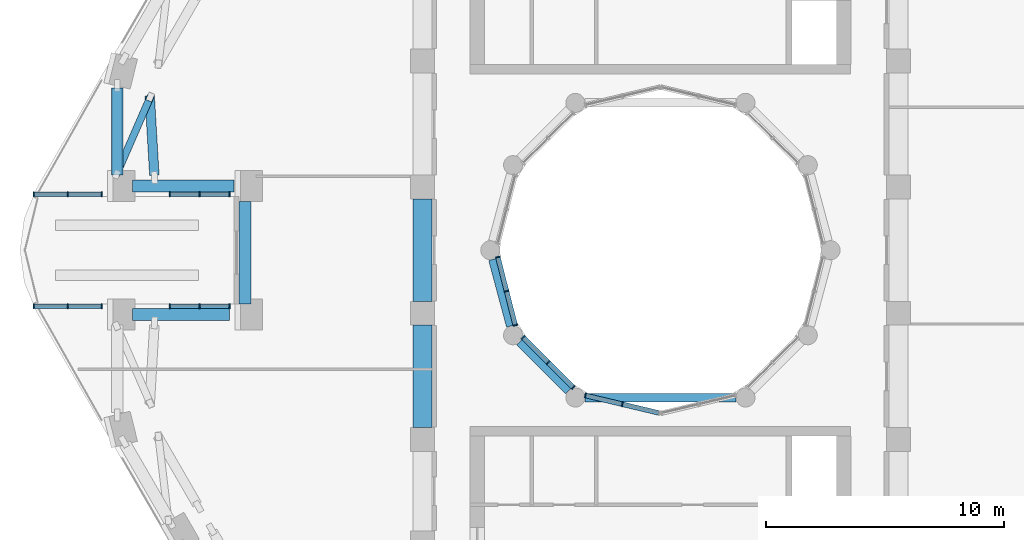
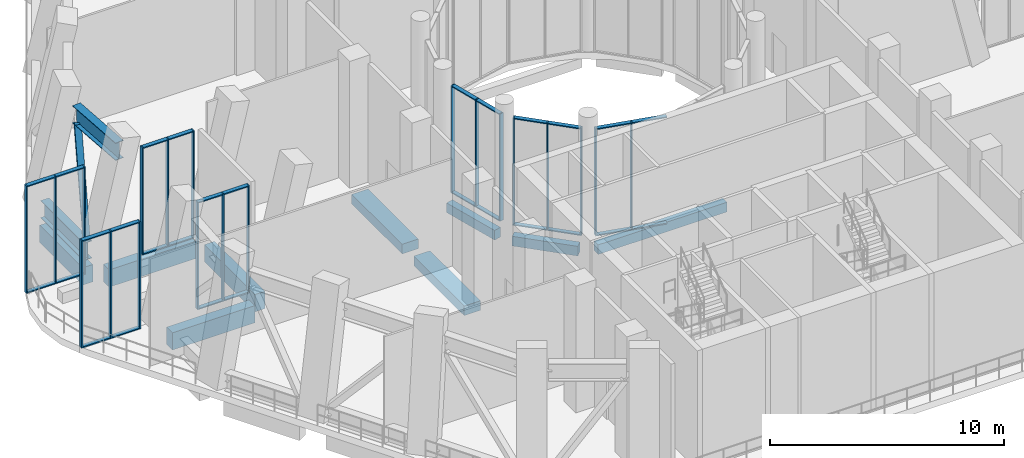
# One storey, part 2 of 19: 51 members, 9 beams, 7 elements without a shape of their own.
"""IFC4 building model written with IfcOpenShell, lengths in metres."""

from ifc_helpers import new_model, si_unit, direction, frame, origin, origin_2d, place, context, subcontext, project, spatial, rectangle, hollow_rectangle, i_section, extrude, material, layer, layer_set, material_profile, profile_set, type_object, element, aggregate, save


model = new_model("IFC4")

# Units and contexts
model_context = context("Model", 3, precision=1e-05, world=origin(), true_north=direction((0.0, 1.0)))
body_context = subcontext(model_context, "Body", "Model", "MODEL_VIEW")
ifc_project = project(units=[si_unit("LENGTHUNIT", "METRE"), si_unit("AREAUNIT", "SQUARE_METRE"), si_unit("VOLUMEUNIT", "CUBIC_METRE"), si_unit("PLANEANGLEUNIT", "RADIAN"), si_unit("MASSUNIT", "GRAM", prefix="KILO")], contexts=[model_context])

# Site, building, storey
site_placement = place(None, origin())
site = spatial("IfcSite", under=ifc_project, at=site_placement, CompositionType="ELEMENT")
building_placement = place(site_placement, origin())
building = spatial("IfcBuilding", under=site, at=building_placement, Name="Nakaniwa Court", CompositionType="ELEMENT")
storey_placement = place(building_placement, frame((0.0, 0.0, 170.10009765625)))
storey = spatial("IfcBuildingStorey", under=building, at=storey_placement, Name="S3", CompositionType="ELEMENT", Elevation=170.10009765625)

# Curtain wall, members
ifc_material_1 = material(Name="Black anodised aluminium frame with dark low-E laminated double glazing", Category="aluminium")
ifc_layer = layer(ifc_material_1, 0.199951171875)
ifc_layer_set = layer_set([ifc_layer], Name="Black anodised aluminium frame with dark low-E laminated double glazing")
curtain_wall_type = type_object("IfcCurtainWallType", Name="Amenity and sky level curtain wall", PredefinedType="NOTDEFINED", material=ifc_layer_set)
curtain_wall_1_placement = place(storey_placement, origin())
curtain_wall_1 = element("IfcCurtainWall", 1, at=curtain_wall_1_placement, inside=storey, type_object=curtain_wall_type, Name="S3 curtain wall CW3 39", PredefinedType="NOTDEFINED")
ifc_material_2 = material(Name="Black anodised aluminium extrusion", Category="aluminium")
ifc_material_profile_1 = material_profile(ifc_material_2, rectangle(XDim=0.199951171875, YDim=0.054931640625, at=origin_2d()), Name="Amenity and sky level curtain wall mullion 55x200")
ifc_profile_set_1 = profile_set([ifc_material_profile_1], Name="Black anodised aluminium extrusion")
member_type_1 = type_object("IfcMemberType", Name="Amenity and sky level curtain wall mullion 55x200", PredefinedType="MULLION", material=ifc_profile_set_1)
member_1_placement = place(storey_placement, frame((78.398193359375, 73.52880859375, 0.0), z_axis=(0.0, 0.0, 1.0), x_axis=(-0.231791306712, -0.972765537081, 0.0)))
member_1 = element("IfcMember", 2, at=member_1_placement, type_object=member_type_1, Name="CW3 mullion 2", PredefinedType="MULLION", context=body_context, shape_type="SweptSolid", body=[
    extrude(rectangle(XDim=0.199951171875, YDim=0.054931640625, at=origin_2d()), origin(), (0.0, 0.0, 1.0), 5.58984375),
])
member_2_placement = place(storey_placement, frame((76.846435546875, 73.898681640625, 0.0), z_axis=(0.0, 0.0, 1.0), x_axis=(-0.231791306712, -0.972765537081, 0.0)))
member_2 = element("IfcMember", 3, at=member_2_placement, type_object=member_type_1, Name="CW3 mullion 3", PredefinedType="MULLION", context=body_context, shape_type="SweptSolid", body=[
    extrude(rectangle(XDim=0.199951171875, YDim=0.054931640625, at=origin_2d()), origin(), (0.0, 0.0, 1.0), 5.58984375),
])

curtain_wall_2_placement = place(storey_placement, origin())
curtain_wall_2 = element("IfcCurtainWall", 4, at=curtain_wall_2_placement, inside=storey, type_object=curtain_wall_type, Name="S3 curtain wall CW3 40", PredefinedType="NOTDEFINED")
member_3_placement = place(storey_placement, frame((76.33740234375, 74.2314453125, 0.0), z_axis=(0.0, 0.0, 1.0), x_axis=(-0.707106781187, -0.707106781187, 0.0)))
member_3 = element("IfcMember", 5, at=member_3_placement, type_object=member_type_1, Name="CW3 mullion 1", PredefinedType="MULLION", context=body_context, shape_type="SweptSolid", body=[
    extrude(rectangle(XDim=0.199951171875, YDim=0.054931640625, at=origin_2d()), origin(), (0.0, 0.0, 1.0), 5.58984375),
])
member_4_placement = place(storey_placement, frame((75.284423828125, 75.284423828125, 0.0), z_axis=(0.0, 0.0, 1.0), x_axis=(-0.707106781187, -0.707106781187, 0.0)))
member_4 = element("IfcMember", 6, at=member_4_placement, type_object=member_type_1, Name="CW3 mullion 2", PredefinedType="MULLION", context=body_context, shape_type="SweptSolid", body=[
    extrude(rectangle(XDim=0.199951171875, YDim=0.054931640625, at=origin_2d()), origin(), (0.0, 0.0, 1.0), 5.58984375),
])
member_5_placement = place(storey_placement, frame((74.2314453125, 76.33740234375, 0.0), z_axis=(0.0, 0.0, 1.0), x_axis=(-0.707106781187, -0.707106781187, 0.0)))
member_5 = element("IfcMember", 7, at=member_5_placement, type_object=member_type_1, Name="CW3 mullion 3", PredefinedType="MULLION", context=body_context, shape_type="SweptSolid", body=[
    extrude(rectangle(XDim=0.199951171875, YDim=0.054931640625, at=origin_2d()), origin(), (0.0, 0.0, 1.0), 5.58984375),
])

curtain_wall_3_placement = place(storey_placement, origin())
curtain_wall_3 = element("IfcCurtainWall", 8, at=curtain_wall_3_placement, inside=storey, type_object=curtain_wall_type, Name="S3 curtain wall CW3 41", PredefinedType="NOTDEFINED")
member_6_placement = place(storey_placement, frame((73.90087890625, 76.84619140625, 0.0), z_axis=(0.0, 0.0, 1.0), x_axis=(-0.968986463302, -0.247113807661, 0.0)))
member_6 = element("IfcMember", 9, at=member_6_placement, type_object=member_type_1, Name="CW3 mullion 1", PredefinedType="MULLION", context=body_context, shape_type="SweptSolid", body=[
    extrude(rectangle(XDim=0.199951171875, YDim=0.054931640625, at=origin_2d()), origin(), (0.0, 0.0, 1.0), 5.58984375),
])
member_7_placement = place(storey_placement, frame((73.53564453125, 78.27783203125, 0.0), z_axis=(0.0, 0.0, 1.0), x_axis=(-0.968986463302, -0.247113807661, 0.0)))
member_7 = element("IfcMember", 10, at=member_7_placement, type_object=member_type_1, Name="CW3 mullion 2", PredefinedType="MULLION", context=body_context, shape_type="SweptSolid", body=[
    extrude(rectangle(XDim=0.199951171875, YDim=0.054931640625, at=origin_2d()), origin(), (0.0, 0.0, 1.0), 5.58984375),
])
member_8_placement = place(storey_placement, frame((73.170654296875, 79.70947265625, 0.0), z_axis=(0.0, 0.0, 1.0), x_axis=(-0.968986463302, -0.247113807661, 0.0)))
member_8 = element("IfcMember", 11, at=member_8_placement, type_object=member_type_1, Name="CW3 mullion 3", PredefinedType="MULLION", context=body_context, shape_type="SweptSolid", body=[
    extrude(rectangle(XDim=0.199951171875, YDim=0.054931640625, at=origin_2d()), origin(), (0.0, 0.0, 1.0), 5.58984375),
])

curtain_wall_4_placement = place(storey_placement, origin())
curtain_wall_4 = element("IfcCurtainWall", 12, at=curtain_wall_4_placement, inside=storey, type_object=curtain_wall_type, Name="S3 curtain wall CW3 15", PredefinedType="NOTDEFINED")
member_9_placement = place(storey_placement, frame((53.6708984375, 82.35009765625, 0.0), z_axis=(0.0, 0.0, 1.0), x_axis=(0.0, 1.0, 0.0)))
member_9 = element("IfcMember", 13, at=member_9_placement, type_object=member_type_1, Name="CW3 mullion 1", PredefinedType="MULLION", context=body_context, shape_type="SweptSolid", body=[
    extrude(rectangle(XDim=0.199951171875, YDim=0.054931640625, at=origin_2d()), origin(), (0.0, 0.0, 1.0), 5.58984375),
])
member_10_placement = place(storey_placement, frame((55.10009765625, 82.35009765625, 0.0), z_axis=(0.0, 0.0, 1.0), x_axis=(0.0, 1.0, 0.0)))
member_10 = element("IfcMember", 14, at=member_10_placement, type_object=member_type_1, Name="CW3 mullion 2", PredefinedType="MULLION", context=body_context, shape_type="SweptSolid", body=[
    extrude(rectangle(XDim=0.199951171875, YDim=0.054931640625, at=origin_2d()), origin(), (0.0, 0.0, 1.0), 5.58984375),
])
member_11_placement = place(storey_placement, frame((56.529296875, 82.35009765625, 0.0), z_axis=(0.0, 0.0, 1.0), x_axis=(0.0, 1.0, 0.0)))
member_11 = element("IfcMember", 15, at=member_11_placement, type_object=member_type_1, Name="CW3 mullion 3", PredefinedType="MULLION", context=body_context, shape_type="SweptSolid", body=[
    extrude(rectangle(XDim=0.199951171875, YDim=0.054931640625, at=origin_2d()), origin(), (0.0, 0.0, 1.0), 5.58984375),
])

curtain_wall_5_placement = place(storey_placement, origin())
curtain_wall_5 = element("IfcCurtainWall", 16, at=curtain_wall_5_placement, inside=storey, type_object=curtain_wall_type, Name="S3 curtain wall CW3 16", PredefinedType="NOTDEFINED")
member_12_placement = place(storey_placement, frame((59.3837890625, 82.35009765625, 0.0), z_axis=(0.0, 0.0, 1.0), x_axis=(0.0, 1.0, 0.0)))
member_12 = element("IfcMember", 17, at=member_12_placement, type_object=member_type_1, Name="CW3 mullion 1", PredefinedType="MULLION", context=body_context, shape_type="SweptSolid", body=[
    extrude(rectangle(XDim=0.199951171875, YDim=0.054931640625, at=origin_2d()), origin(), (0.0, 0.0, 1.0), 5.58984375),
])
member_13_placement = place(storey_placement, frame((60.638916015625, 82.35009765625, 0.0), z_axis=(0.0, 0.0, 1.0), x_axis=(0.0, 1.0, 0.0)))
member_13 = element("IfcMember", 18, at=member_13_placement, type_object=member_type_1, Name="CW3 mullion 2", PredefinedType="MULLION", context=body_context, shape_type="SweptSolid", body=[
    extrude(rectangle(XDim=0.199951171875, YDim=0.054931640625, at=origin_2d()), origin(), (0.0, 0.0, 1.0), 5.58984375),
])
member_14_placement = place(storey_placement, frame((61.893798828125, 82.35009765625, 0.0), z_axis=(0.0, 0.0, 1.0), x_axis=(0.0, 1.0, 0.0)))
member_14 = element("IfcMember", 19, at=member_14_placement, type_object=member_type_1, Name="CW3 mullion 3", PredefinedType="MULLION", context=body_context, shape_type="SweptSolid", body=[
    extrude(rectangle(XDim=0.199951171875, YDim=0.054931640625, at=origin_2d()), origin(), (0.0, 0.0, 1.0), 5.58984375),
])

curtain_wall_6_placement = place(storey_placement, origin())
curtain_wall_6 = element("IfcCurtainWall", 20, at=curtain_wall_6_placement, inside=storey, type_object=curtain_wall_type, Name="S3 curtain wall CW3 18", PredefinedType="NOTDEFINED")
member_15_placement = place(storey_placement, frame((61.893798828125, 77.64990234375, 0.0), z_axis=(0.0, 0.0, 1.0), x_axis=(0.0, -1.0, 0.0)))
member_15 = element("IfcMember", 21, at=member_15_placement, type_object=member_type_1, Name="CW3 mullion 1", PredefinedType="MULLION", context=body_context, shape_type="SweptSolid", body=[
    extrude(rectangle(XDim=0.199951171875, YDim=0.054931640625, at=origin_2d()), origin(), (0.0, 0.0, 1.0), 5.58984375),
])
member_16_placement = place(storey_placement, frame((60.638916015625, 77.64990234375, 0.0), z_axis=(0.0, 0.0, 1.0), x_axis=(0.0, -1.0, 0.0)))
member_16 = element("IfcMember", 22, at=member_16_placement, type_object=member_type_1, Name="CW3 mullion 2", PredefinedType="MULLION", context=body_context, shape_type="SweptSolid", body=[
    extrude(rectangle(XDim=0.199951171875, YDim=0.054931640625, at=origin_2d()), origin(), (0.0, 0.0, 1.0), 5.58984375),
])
member_17_placement = place(storey_placement, frame((59.3837890625, 77.64990234375, 0.0), z_axis=(0.0, 0.0, 1.0), x_axis=(0.0, -1.0, 0.0)))
member_17 = element("IfcMember", 23, at=member_17_placement, type_object=member_type_1, Name="CW3 mullion 3", PredefinedType="MULLION", context=body_context, shape_type="SweptSolid", body=[
    extrude(rectangle(XDim=0.199951171875, YDim=0.054931640625, at=origin_2d()), origin(), (0.0, 0.0, 1.0), 5.58984375),
])

curtain_wall_7_placement = place(storey_placement, origin())
curtain_wall_7 = element("IfcCurtainWall", 24, at=curtain_wall_7_placement, inside=storey, type_object=curtain_wall_type, Name="S3 curtain wall CW3 19", PredefinedType="NOTDEFINED")
member_18_placement = place(storey_placement, frame((56.529296875, 77.64990234375, 0.0), z_axis=(0.0, 0.0, 1.0), x_axis=(0.0, -1.0, 0.0)))
member_18 = element("IfcMember", 25, at=member_18_placement, type_object=member_type_1, Name="CW3 mullion 1", PredefinedType="MULLION", context=body_context, shape_type="SweptSolid", body=[
    extrude(rectangle(XDim=0.199951171875, YDim=0.054931640625, at=origin_2d()), origin(), (0.0, 0.0, 1.0), 5.58984375),
])
member_19_placement = place(storey_placement, frame((55.10009765625, 77.64990234375, 0.0), z_axis=(0.0, 0.0, 1.0), x_axis=(0.0, -1.0, 0.0)))
member_19 = element("IfcMember", 26, at=member_19_placement, type_object=member_type_1, Name="CW3 mullion 2", PredefinedType="MULLION", context=body_context, shape_type="SweptSolid", body=[
    extrude(rectangle(XDim=0.199951171875, YDim=0.054931640625, at=origin_2d()), origin(), (0.0, 0.0, 1.0), 5.58984375),
])
member_20_placement = place(storey_placement, frame((53.6708984375, 77.64990234375, 0.0), z_axis=(0.0, 0.0, 1.0), x_axis=(0.0, -1.0, 0.0)))
member_20 = element("IfcMember", 27, at=member_20_placement, type_object=member_type_1, Name="CW3 mullion 3", PredefinedType="MULLION", context=body_context, shape_type="SweptSolid", body=[
    extrude(rectangle(XDim=0.199951171875, YDim=0.054931640625, at=origin_2d()), origin(), (0.0, 0.0, 1.0), 5.58984375),
])

# Member
ifc_material_profile_2 = material_profile(ifc_material_2, rectangle(XDim=0.199951171875, YDim=0.054931640625, at=origin_2d()), Name="Amenity and sky level curtain wall transom 55x200")
ifc_profile_set_2 = profile_set([ifc_material_profile_2], Name="Black anodised aluminium extrusion")
member_type_2 = type_object("IfcMemberType", Name="Amenity and sky level curtain wall transom 55x200", PredefinedType="USERDEFINED", material=ifc_profile_set_2)
member_21_placement = place(storey_placement, frame((79.92333984375, 73.16552734375, 0.02734375), z_axis=(-0.972777294296, 0.231741959306, 0.0), x_axis=(-0.231741959306, -0.972777294296, 0.0)))
member_21 = element("IfcMember", 28, at=member_21_placement, type_object=member_type_2, Name="CW3 transom 1.1", ObjectType="TRANSOM", PredefinedType="USERDEFINED", context=body_context, shape_type="SweptSolid", body=[
    extrude(rectangle(XDim=0.199951171875, YDim=0.054931640625, at=origin_2d()), origin(), (0.0, 0.0, 1.0), 1.540283203125),
])

member_22_placement = place(storey_placement, frame((79.92333984375, 73.16552734375, 5.5625), z_axis=(-0.972777294296, 0.231741959306, 0.0), x_axis=(-0.231741959306, -0.972777294296, 0.0)))
member_22 = element("IfcMember", 29, at=member_22_placement, type_object=member_type_2, Name="CW3 transom 1.2", ObjectType="TRANSOM", PredefinedType="USERDEFINED", context=body_context, shape_type="SweptSolid", body=[
    extrude(rectangle(XDim=0.199951171875, YDim=0.054931640625, at=origin_2d()), origin(), (0.0, 0.0, 1.0), 1.540283203125),
])

member_23_placement = place(storey_placement, frame((78.371337890625, 73.53515625, 0.02734375), z_axis=(-0.972741550558, 0.231891948585, 0.0), x_axis=(-0.231891948585, -0.972741550558, 0.0)))
member_23 = element("IfcMember", 30, at=member_23_placement, type_object=member_type_2, Name="CW3 transom 2.1", ObjectType="TRANSOM", PredefinedType="USERDEFINED", context=body_context, shape_type="SweptSolid", body=[
    extrude(rectangle(XDim=0.199951171875, YDim=0.054931640625, at=origin_2d()), origin(), (0.0, 0.0, 1.0), 1.540283203125),
])

member_24_placement = place(storey_placement, frame((78.371337890625, 73.53515625, 5.5625), z_axis=(-0.972741550558, 0.231891948585, 0.0), x_axis=(-0.231891948585, -0.972741550558, 0.0)))
member_24 = element("IfcMember", 31, at=member_24_placement, type_object=member_type_2, Name="CW3 transom 2.2", ObjectType="TRANSOM", PredefinedType="USERDEFINED", context=body_context, shape_type="SweptSolid", body=[
    extrude(rectangle(XDim=0.199951171875, YDim=0.054931640625, at=origin_2d()), origin(), (0.0, 0.0, 1.0), 1.540283203125),
])

aggregate(curtain_wall_1, [member_1, member_2, member_21, member_22, member_23, member_24])

member_25_placement = place(storey_placement, frame((76.31787109375, 74.2509765625, 0.02734375), z_axis=(-0.707106781187, 0.707106781187, 0.0), x_axis=(-0.707106781187, -0.707106781187, 0.0)))
member_25 = element("IfcMember", 32, at=member_25_placement, type_object=member_type_2, Name="CW3 transom 1.1", ObjectType="TRANSOM", PredefinedType="USERDEFINED", context=body_context, shape_type="SweptSolid", body=[
    extrude(rectangle(XDim=0.199951171875, YDim=0.054931640625, at=origin_2d()), origin(), (0.0, 0.0, 1.0), 1.433837890625),
])

member_26_placement = place(storey_placement, frame((76.31787109375, 74.2509765625, 5.5625), z_axis=(-0.707106781187, 0.707106781187, 0.0), x_axis=(-0.707106781187, -0.707106781187, 0.0)))
member_26 = element("IfcMember", 33, at=member_26_placement, type_object=member_type_2, Name="CW3 transom 1.2", ObjectType="TRANSOM", PredefinedType="USERDEFINED", context=body_context, shape_type="SweptSolid", body=[
    extrude(rectangle(XDim=0.199951171875, YDim=0.054931640625, at=origin_2d()), origin(), (0.0, 0.0, 1.0), 1.433837890625),
])

member_27_placement = place(storey_placement, frame((75.264892578125, 75.303955078125, 0.02734375), z_axis=(-0.707106781187, 0.707106781187, 0.0), x_axis=(-0.707106781187, -0.707106781187, 0.0)))
member_27 = element("IfcMember", 34, at=member_27_placement, type_object=member_type_2, Name="CW3 transom 2.1", ObjectType="TRANSOM", PredefinedType="USERDEFINED", context=body_context, shape_type="SweptSolid", body=[
    extrude(rectangle(XDim=0.199951171875, YDim=0.054931640625, at=origin_2d()), origin(), (0.0, 0.0, 1.0), 1.433837890625),
])

member_28_placement = place(storey_placement, frame((75.264892578125, 75.303955078125, 5.5625), z_axis=(-0.707106781187, 0.707106781187, 0.0), x_axis=(-0.707106781187, -0.707106781187, 0.0)))
member_28 = element("IfcMember", 35, at=member_28_placement, type_object=member_type_2, Name="CW3 transom 2.2", ObjectType="TRANSOM", PredefinedType="USERDEFINED", context=body_context, shape_type="SweptSolid", body=[
    extrude(rectangle(XDim=0.199951171875, YDim=0.054931640625, at=origin_2d()), origin(), (0.0, 0.0, 1.0), 1.433837890625),
])

aggregate(curtain_wall_2, [member_3, member_4, member_5, member_25, member_26, member_27, member_28])

member_29_placement = place(storey_placement, frame((73.89404296875, 76.872802734375, 0.02734375), z_axis=(-0.247136415914, 0.968980697398, 0.0), x_axis=(-0.968980697398, -0.247136415914, 0.0)))
member_29 = element("IfcMember", 36, at=member_29_placement, type_object=member_type_2, Name="CW3 transom 1.1", ObjectType="TRANSOM", PredefinedType="USERDEFINED", context=body_context, shape_type="SweptSolid", body=[
    extrude(rectangle(XDim=0.199951171875, YDim=0.054931640625, at=origin_2d()), origin(), (0.0, 0.0, 1.0), 1.422607421875),
])

member_30_placement = place(storey_placement, frame((73.89404296875, 76.872802734375, 5.5625), z_axis=(-0.247136415914, 0.968980697398, 0.0), x_axis=(-0.968980697398, -0.247136415914, 0.0)))
member_30 = element("IfcMember", 37, at=member_30_placement, type_object=member_type_2, Name="CW3 transom 1.2", ObjectType="TRANSOM", PredefinedType="USERDEFINED", context=body_context, shape_type="SweptSolid", body=[
    extrude(rectangle(XDim=0.199951171875, YDim=0.054931640625, at=origin_2d()), origin(), (0.0, 0.0, 1.0), 1.422607421875),
])

member_31_placement = place(storey_placement, frame((73.52880859375, 78.304443359375, 0.02734375), z_axis=(-0.24697526524, 0.969021784255, 0.0), x_axis=(-0.969021784255, -0.24697526524, 0.0)))
member_31 = element("IfcMember", 38, at=member_31_placement, type_object=member_type_2, Name="CW3 transom 2.1", ObjectType="TRANSOM", PredefinedType="USERDEFINED", context=body_context, shape_type="SweptSolid", body=[
    extrude(rectangle(XDim=0.199951171875, YDim=0.054931640625, at=origin_2d()), origin(), (0.0, 0.0, 1.0), 1.42236328125),
])

member_32_placement = place(storey_placement, frame((73.52880859375, 78.304443359375, 5.5625), z_axis=(-0.24697526524, 0.969021784255, 0.0), x_axis=(-0.969021784255, -0.24697526524, 0.0)))
member_32 = element("IfcMember", 39, at=member_32_placement, type_object=member_type_2, Name="CW3 transom 2.2", ObjectType="TRANSOM", PredefinedType="USERDEFINED", context=body_context, shape_type="SweptSolid", body=[
    extrude(rectangle(XDim=0.199951171875, YDim=0.054931640625, at=origin_2d()), origin(), (0.0, 0.0, 1.0), 1.42236328125),
])

aggregate(curtain_wall_3, [member_6, member_7, member_8, member_29, member_30, member_31, member_32])

member_33_placement = place(storey_placement, frame((53.6982421875, 82.35009765625, 0.02734375), z_axis=(1.0, 0.0, 0.0), x_axis=(0.0, 1.0, 0.0)))
member_33 = element("IfcMember", 40, at=member_33_placement, type_object=member_type_2, Name="CW3 transom 1.1", ObjectType="TRANSOM", PredefinedType="USERDEFINED", context=body_context, shape_type="SweptSolid", body=[
    extrude(rectangle(XDim=0.199951171875, YDim=0.054931640625, at=origin_2d()), origin(), (0.0, 0.0, 1.0), 1.374267578125),
])

member_34_placement = place(storey_placement, frame((53.6982421875, 82.35009765625, 5.5625), z_axis=(1.0, 0.0, 0.0), x_axis=(0.0, 1.0, 0.0)))
member_34 = element("IfcMember", 41, at=member_34_placement, type_object=member_type_2, Name="CW3 transom 1.2", ObjectType="TRANSOM", PredefinedType="USERDEFINED", context=body_context, shape_type="SweptSolid", body=[
    extrude(rectangle(XDim=0.199951171875, YDim=0.054931640625, at=origin_2d()), origin(), (0.0, 0.0, 1.0), 1.374267578125),
])

member_35_placement = place(storey_placement, frame((55.12744140625, 82.35009765625, 0.02734375), z_axis=(1.0, 0.0, 0.0), x_axis=(0.0, 1.0, 0.0)))
member_35 = element("IfcMember", 42, at=member_35_placement, type_object=member_type_2, Name="CW3 transom 2.1", ObjectType="TRANSOM", PredefinedType="USERDEFINED", context=body_context, shape_type="SweptSolid", body=[
    extrude(rectangle(XDim=0.199951171875, YDim=0.054931640625, at=origin_2d()), origin(), (0.0, 0.0, 1.0), 1.374267578125),
])

member_36_placement = place(storey_placement, frame((55.12744140625, 82.35009765625, 5.5625), z_axis=(1.0, 0.0, 0.0), x_axis=(0.0, 1.0, 0.0)))
member_36 = element("IfcMember", 43, at=member_36_placement, type_object=member_type_2, Name="CW3 transom 2.2", ObjectType="TRANSOM", PredefinedType="USERDEFINED", context=body_context, shape_type="SweptSolid", body=[
    extrude(rectangle(XDim=0.199951171875, YDim=0.054931640625, at=origin_2d()), origin(), (0.0, 0.0, 1.0), 1.374267578125),
])

aggregate(curtain_wall_4, [member_9, member_10, member_11, member_33, member_34, member_35, member_36])

member_37_placement = place(storey_placement, frame((59.411376953125, 82.35009765625, 0.02734375), z_axis=(1.0, 0.0, 0.0), x_axis=(0.0, 1.0, 0.0)))
member_37 = element("IfcMember", 44, at=member_37_placement, type_object=member_type_2, Name="CW3 transom 1.1", ObjectType="TRANSOM", PredefinedType="USERDEFINED", context=body_context, shape_type="SweptSolid", body=[
    extrude(rectangle(XDim=0.199951171875, YDim=0.054931640625, at=origin_2d()), origin(), (0.0, 0.0, 1.0), 1.199951171875),
])

member_38_placement = place(storey_placement, frame((59.411376953125, 82.35009765625, 5.5625), z_axis=(1.0, 0.0, 0.0), x_axis=(0.0, 1.0, 0.0)))
member_38 = element("IfcMember", 45, at=member_38_placement, type_object=member_type_2, Name="CW3 transom 1.2", ObjectType="TRANSOM", PredefinedType="USERDEFINED", context=body_context, shape_type="SweptSolid", body=[
    extrude(rectangle(XDim=0.199951171875, YDim=0.054931640625, at=origin_2d()), origin(), (0.0, 0.0, 1.0), 1.199951171875),
])

member_39_placement = place(storey_placement, frame((60.666259765625, 82.35009765625, 0.02734375), z_axis=(1.0, 0.0, 0.0), x_axis=(0.0, 1.0, 0.0)))
member_39 = element("IfcMember", 46, at=member_39_placement, type_object=member_type_2, Name="CW3 transom 2.1", ObjectType="TRANSOM", PredefinedType="USERDEFINED", context=body_context, shape_type="SweptSolid", body=[
    extrude(rectangle(XDim=0.199951171875, YDim=0.054931640625, at=origin_2d()), origin(), (0.0, 0.0, 1.0), 1.199951171875),
])

member_40_placement = place(storey_placement, frame((60.666259765625, 82.35009765625, 5.5625), z_axis=(1.0, 0.0, 0.0), x_axis=(0.0, 1.0, 0.0)))
member_40 = element("IfcMember", 47, at=member_40_placement, type_object=member_type_2, Name="CW3 transom 2.2", ObjectType="TRANSOM", PredefinedType="USERDEFINED", context=body_context, shape_type="SweptSolid", body=[
    extrude(rectangle(XDim=0.199951171875, YDim=0.054931640625, at=origin_2d()), origin(), (0.0, 0.0, 1.0), 1.199951171875),
])

aggregate(curtain_wall_5, [member_12, member_13, member_14, member_37, member_38, member_39, member_40])

member_41_placement = place(storey_placement, frame((61.8662109375, 77.64990234375, 0.02734375), z_axis=(-1.0, 0.0, 0.0), x_axis=(0.0, -1.0, 0.0)))
member_41 = element("IfcMember", 48, at=member_41_placement, type_object=member_type_2, Name="CW3 transom 1.1", ObjectType="TRANSOM", PredefinedType="USERDEFINED", context=body_context, shape_type="SweptSolid", body=[
    extrude(rectangle(XDim=0.199951171875, YDim=0.054931640625, at=origin_2d()), origin(), (0.0, 0.0, 1.0), 1.199951171875),
])

member_42_placement = place(storey_placement, frame((61.8662109375, 77.64990234375, 5.5625), z_axis=(-1.0, 0.0, 0.0), x_axis=(0.0, -1.0, 0.0)))
member_42 = element("IfcMember", 49, at=member_42_placement, type_object=member_type_2, Name="CW3 transom 1.2", ObjectType="TRANSOM", PredefinedType="USERDEFINED", context=body_context, shape_type="SweptSolid", body=[
    extrude(rectangle(XDim=0.199951171875, YDim=0.054931640625, at=origin_2d()), origin(), (0.0, 0.0, 1.0), 1.199951171875),
])

member_43_placement = place(storey_placement, frame((60.611328125, 77.64990234375, 0.02734375), z_axis=(-1.0, 0.0, 0.0), x_axis=(0.0, -1.0, 0.0)))
member_43 = element("IfcMember", 50, at=member_43_placement, type_object=member_type_2, Name="CW3 transom 2.1", ObjectType="TRANSOM", PredefinedType="USERDEFINED", context=body_context, shape_type="SweptSolid", body=[
    extrude(rectangle(XDim=0.199951171875, YDim=0.054931640625, at=origin_2d()), origin(), (0.0, 0.0, 1.0), 1.199951171875),
])

member_44_placement = place(storey_placement, frame((60.611328125, 77.64990234375, 5.5625), z_axis=(-1.0, 0.0, 0.0), x_axis=(0.0, -1.0, 0.0)))
member_44 = element("IfcMember", 51, at=member_44_placement, type_object=member_type_2, Name="CW3 transom 2.2", ObjectType="TRANSOM", PredefinedType="USERDEFINED", context=body_context, shape_type="SweptSolid", body=[
    extrude(rectangle(XDim=0.199951171875, YDim=0.054931640625, at=origin_2d()), origin(), (0.0, 0.0, 1.0), 1.199951171875),
])

aggregate(curtain_wall_6, [member_15, member_16, member_17, member_41, member_42, member_43, member_44])

member_45_placement = place(storey_placement, frame((56.501708984375, 77.64990234375, 0.02734375), z_axis=(-1.0, 0.0, 0.0), x_axis=(0.0, -1.0, 0.0)))
member_45 = element("IfcMember", 52, at=member_45_placement, type_object=member_type_2, Name="CW3 transom 1.1", ObjectType="TRANSOM", PredefinedType="USERDEFINED", context=body_context, shape_type="SweptSolid", body=[
    extrude(rectangle(XDim=0.199951171875, YDim=0.054931640625, at=origin_2d()), origin(), (0.0, 0.0, 1.0), 1.374267578125),
])

member_46_placement = place(storey_placement, frame((56.501708984375, 77.64990234375, 5.5625), z_axis=(-1.0, 0.0, 0.0), x_axis=(0.0, -1.0, 0.0)))
member_46 = element("IfcMember", 53, at=member_46_placement, type_object=member_type_2, Name="CW3 transom 1.2", ObjectType="TRANSOM", PredefinedType="USERDEFINED", context=body_context, shape_type="SweptSolid", body=[
    extrude(rectangle(XDim=0.199951171875, YDim=0.054931640625, at=origin_2d()), origin(), (0.0, 0.0, 1.0), 1.374267578125),
])

member_47_placement = place(storey_placement, frame((55.072509765625, 77.64990234375, 0.02734375), z_axis=(-1.0, 0.0, 0.0), x_axis=(0.0, -1.0, 0.0)))
member_47 = element("IfcMember", 54, at=member_47_placement, type_object=member_type_2, Name="CW3 transom 2.1", ObjectType="TRANSOM", PredefinedType="USERDEFINED", context=body_context, shape_type="SweptSolid", body=[
    extrude(rectangle(XDim=0.199951171875, YDim=0.054931640625, at=origin_2d()), origin(), (0.0, 0.0, 1.0), 1.374267578125),
])

member_48_placement = place(storey_placement, frame((55.072509765625, 77.64990234375, 5.5625), z_axis=(-1.0, 0.0, 0.0), x_axis=(0.0, -1.0, 0.0)))
member_48 = element("IfcMember", 55, at=member_48_placement, type_object=member_type_2, Name="CW3 transom 2.2", ObjectType="TRANSOM", PredefinedType="USERDEFINED", context=body_context, shape_type="SweptSolid", body=[
    extrude(rectangle(XDim=0.199951171875, YDim=0.054931640625, at=origin_2d()), origin(), (0.0, 0.0, 1.0), 1.374267578125),
])

aggregate(curtain_wall_7, [member_18, member_19, member_20, member_45, member_46, member_47, member_48])

# Members
ifc_material_3 = material(Name="Steel Grade 350", Category="steel")
ifc_material_profile_3 = material_profile(ifc_material_3, i_section(OverallWidth=0.39990234375, OverallDepth=0.916015625, WebThickness=0.011962890625, FlangeThickness=0.028076171875, at=origin_2d()), Name="900WB257")
ifc_profile_set_3 = profile_set([ifc_material_profile_3], Name="Steel Grade 350")
member_type_3 = type_object("IfcMemberType", Name="BELT chord 900 WB257", PredefinedType="CHORD", material=ifc_profile_set_3)
member_49_placement = place(storey_placement, frame((57.177001953125, 86.819091796875, 0.4580078125), z_axis=(0.0, -1.0, 0.0), x_axis=(1.0, 0.0, 0.0)))
element("IfcMember", 56, at=member_49_placement, inside=storey, type_object=member_type_3, Name="BELT CHORD BT-06-B", PredefinedType="CHORD", context=body_context, shape_type="SweptSolid", body=[
    extrude(i_section(OverallWidth=0.39990234375, OverallDepth=0.916015625, WebThickness=0.011962890625, FlangeThickness=0.028076171875, at=origin_2d()), origin(), (0.0, 0.0, 1.0), 3.669189453125),
])
member_50_placement = place(storey_placement, frame((58.541015625, 86.481689453125, 5.1318359375), z_axis=(0.058447577695, -0.9982904791, 0.0), x_axis=(0.9982904791, 0.058447577695, 0.0)))
element("IfcMember", 57, at=member_50_placement, inside=storey, type_object=member_type_3, Name="BELT CHORD BT-06-T", PredefinedType="CHORD", context=body_context, shape_type="SweptSolid", body=[
    extrude(i_section(OverallWidth=0.39990234375, OverallDepth=0.916015625, WebThickness=0.011962890625, FlangeThickness=0.028076171875, at=origin_2d()), origin(), (0.0, 0.0, 1.0), 3.33740234375),
])
ifc_material_profile_4 = material_profile(ifc_material_3, hollow_rectangle(XDim=0.300048828125, YDim=0.300048828125, WallThickness=0.010009765625, at=origin_2d()), Name="BELT diagonal 300x300x10 SHS")
ifc_profile_set_4 = profile_set([ifc_material_profile_4], Name="Steel Grade 350")
member_type_4 = type_object("IfcMemberType", Name="BELT diagonal 300x300x10 SHS", PredefinedType="BRACE", material=ifc_profile_set_4)
member_51_placement = place(storey_placement, frame((58.541015625, 86.381591796875, 4.673828125), z_axis=(-0.268599510632, -0.616668323408, -0.739982757768), x_axis=(0.916807366579, -0.399329754196, 0.0)))
element("IfcMember", 58, at=member_51_placement, inside=storey, type_object=member_type_4, Name="BELT DIAGONAL BT-06-D", PredefinedType="BRACE", context=body_context, shape_type="SweptSolid", body=[
    extrude(hollow_rectangle(XDim=0.300048828125, YDim=0.300048828125, WallThickness=0.010009765625, at=origin_2d()), origin(), (0.0, 0.0, 1.0), 5.078125),
])

# Beams
ifc_material_4 = material(Name="Concrete C80/100", Category="concrete")
ifc_material_profile_5 = material_profile(ifc_material_4, rectangle(XDim=0.35009765625, YDim=0.5, at=origin_2d()), Name="Concrete C80/100 RC 350x500 ring beam")
ifc_profile_set_5 = profile_set([ifc_material_profile_5], Name="Concrete C80/100")
beam_type_1 = type_object("IfcBeamType", Name="Concrete C80/100 RC 350x500 ring beam", PredefinedType="BEAM", material=ifc_profile_set_5)
beam_1_placement = place(storey_placement, frame((72.95361328125, 79.613525390625, -0.60009765625), z_axis=(0.258778150207, -0.965936783115, 0.0), x_axis=(0.965936783115, 0.258778150207, 0.0)))
element("IfcBeam", 59, at=beam_1_placement, inside=storey, type_object=beam_type_1, Name="RING BEAM", PredefinedType="BEAM", context=body_context, shape_type="SweptSolid", body=[
    extrude(rectangle(XDim=0.35009765625, YDim=0.5, at=origin_2d()), origin(), (0.0, 0.0, 1.0), 2.901123046875),
])
beam_2_placement = place(storey_placement, frame((74.0908203125, 76.14208984375, -0.60009765625), z_axis=(0.707106781187, -0.707106781187, 0.0), x_axis=(0.707106781187, 0.707106781187, 0.0)))
element("IfcBeam", 60, at=beam_2_placement, inside=storey, type_object=beam_type_1, Name="RING BEAM", PredefinedType="BEAM", context=body_context, shape_type="SweptSolid", body=[
    extrude(rectangle(XDim=0.35009765625, YDim=0.5, at=origin_2d()), origin(), (0.0, 0.0, 1.0), 2.90087890625),
])
beam_3_placement = place(storey_placement, frame((76.824951171875, 73.807861328125, -0.60009765625), z_axis=(1.0, 0.0, 0.0), x_axis=(0.0, 1.0, 0.0)))
element("IfcBeam", 61, at=beam_3_placement, inside=storey, type_object=beam_type_1, Name="RING BEAM", PredefinedType="BEAM", context=body_context, shape_type="SweptSolid", body=[
    extrude(rectangle(XDim=0.35009765625, YDim=0.5, at=origin_2d()), origin(), (0.0, 0.0, 1.0), 6.35009765625),
])
ifc_material_profile_6 = material_profile(ifc_material_4, rectangle(XDim=0.5, YDim=0.89990234375, at=origin_2d()), Name="Concrete C80/100 RC 500x900 spandrel beam")
ifc_profile_set_6 = profile_set([ifc_material_profile_6], Name="Concrete C80/100")
beam_type_2 = type_object("IfcBeamType", Name="Concrete C80/100 RC 500x900 spandrel beam", PredefinedType="BEAM", material=ifc_profile_set_6)
beam_4_placement = place(storey_placement, frame((57.177001953125, 86.819091796875, -0.800048828125), z_axis=(0.0, -1.0, 0.0), x_axis=(1.0, 0.0, 0.0)))
element("IfcBeam", 62, at=beam_4_placement, inside=storey, type_object=beam_type_2, Name="SPANDREL BEAM", PredefinedType="BEAM", context=body_context, shape_type="SweptSolid", body=[
    extrude(rectangle(XDim=0.5, YDim=0.89990234375, at=origin_2d()), origin(), (0.0, 0.0, 1.0), 3.669189453125),
])
beam_5_placement = place(storey_placement, frame((57.8271484375, 82.699951171875, -0.800048828125), z_axis=(1.0, 0.0, 0.0), x_axis=(0.0, 1.0, 0.0)))
element("IfcBeam", 63, at=beam_5_placement, inside=storey, type_object=beam_type_2, Name="SPANDREL BEAM", PredefinedType="BEAM", context=body_context, shape_type="SweptSolid", body=[
    extrude(rectangle(XDim=0.5, YDim=0.89990234375, at=origin_2d()), origin(), (0.0, 0.0, 1.0), 4.264404296875),
])
beam_6_placement = place(storey_placement, frame((62.54150390625, 82.050048828125, -0.800048828125), z_axis=(0.0, -1.0, 0.0), x_axis=(1.0, 0.0, 0.0)))
element("IfcBeam", 64, at=beam_6_placement, inside=storey, type_object=beam_type_2, Name="SPANDREL BEAM", PredefinedType="BEAM", context=body_context, shape_type="SweptSolid", body=[
    extrude(rectangle(XDim=0.5, YDim=0.89990234375, at=origin_2d()), origin(), (0.0, 0.0, 1.0), 4.300048828125),
])
beam_7_placement = place(storey_placement, frame((61.8916015625, 77.300048828125, -0.800048828125), z_axis=(-1.0, 0.0, 0.0), x_axis=(0.0, -1.0, 0.0)))
element("IfcBeam", 65, at=beam_7_placement, inside=storey, type_object=beam_type_2, Name="SPANDREL BEAM", PredefinedType="BEAM", context=body_context, shape_type="SweptSolid", body=[
    extrude(rectangle(XDim=0.5, YDim=0.89990234375, at=origin_2d()), origin(), (0.0, 0.0, 1.0), 4.064453125),
])
ifc_material_profile_7 = material_profile(ifc_material_4, rectangle(XDim=0.800048828125, YDim=0.5, at=origin_2d()), Name="Concrete C80/100 RC 800x500 ring beam")
ifc_profile_set_7 = profile_set([ifc_material_profile_7], Name="Concrete C80/100")
beam_type_3 = type_object("IfcBeamType", Name="Concrete C80/100 RC 800x500 ring beam", PredefinedType="BEAM", material=ifc_profile_set_7)
beam_8_placement = place(storey_placement, frame((70.0, 82.14990234375, -0.60009765625), z_axis=(0.0, -1.0, 0.0), x_axis=(1.0, 0.0, 0.0)))
element("IfcBeam", 66, at=beam_8_placement, inside=storey, type_object=beam_type_3, Name="RING BEAM", PredefinedType="BEAM", context=body_context, shape_type="SweptSolid", body=[
    extrude(rectangle(XDim=0.800048828125, YDim=0.5, at=origin_2d()), origin(), (0.0, 0.0, 1.0), 4.2998046875),
])
beam_9_placement = place(storey_placement, frame((70.0, 76.85009765625, -0.60009765625), z_axis=(0.0, -1.0, 0.0), x_axis=(1.0, 0.0, 0.0)))
element("IfcBeam", 67, at=beam_9_placement, inside=storey, type_object=beam_type_3, Name="RING BEAM", PredefinedType="BEAM", context=body_context, shape_type="SweptSolid", body=[
    extrude(rectangle(XDim=0.800048828125, YDim=0.5, at=origin_2d()), origin(), (0.0, 0.0, 1.0), 4.300048828125),
])

save(model, "model.ifc")
